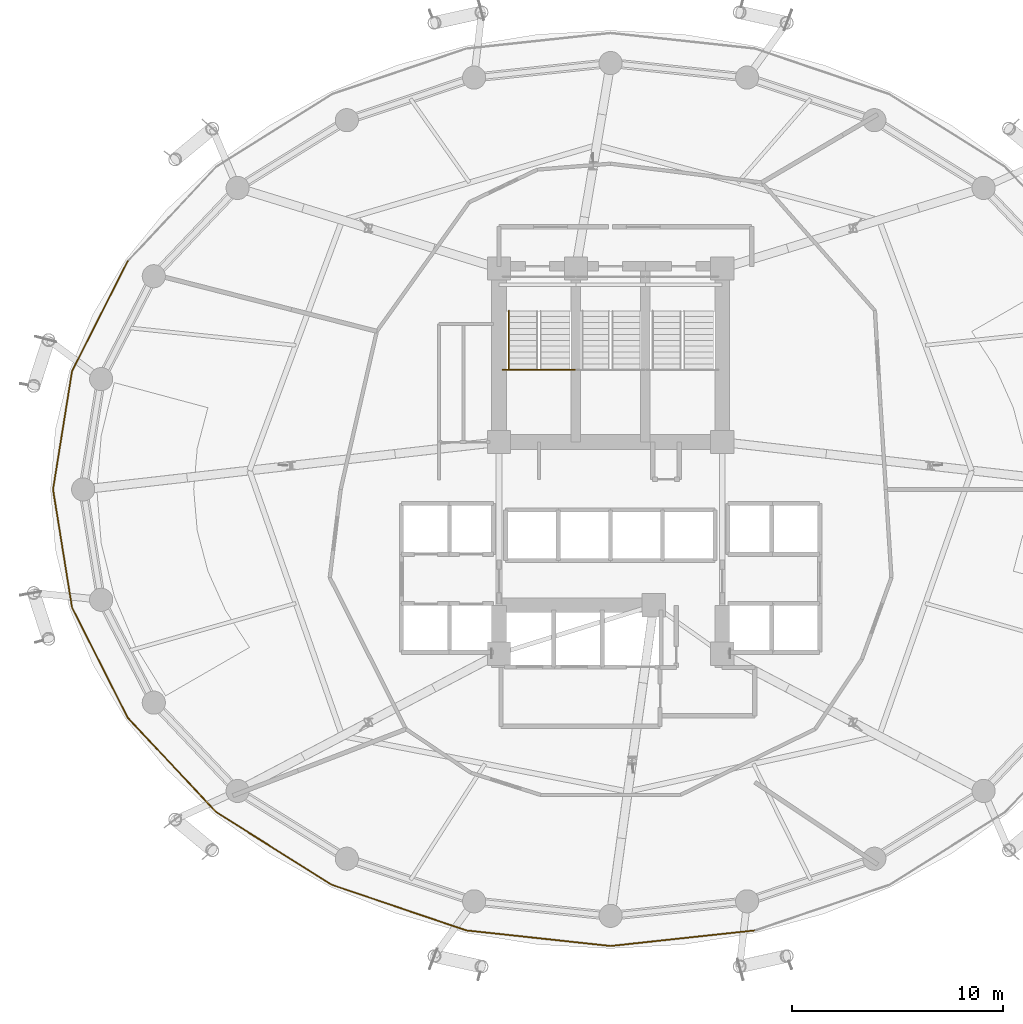
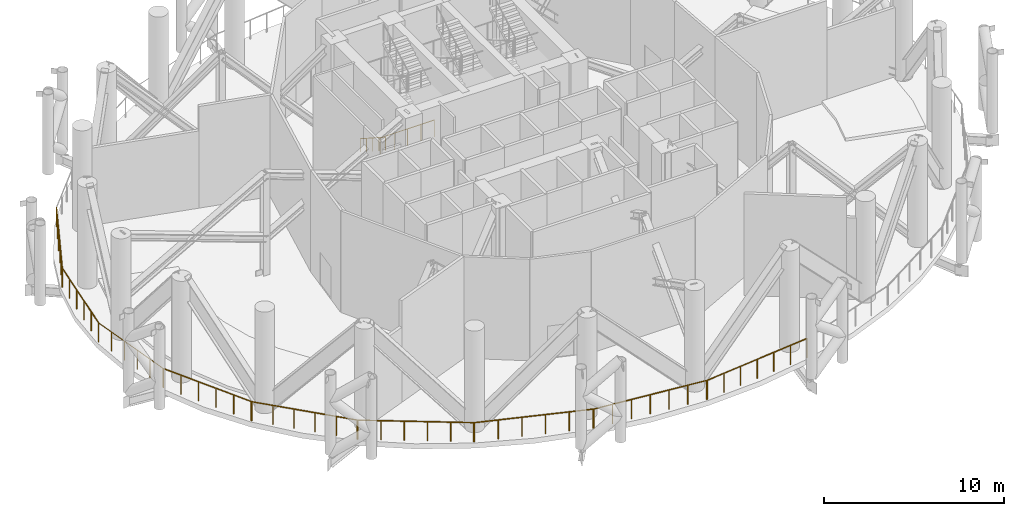
# One storey, part 15 of 19: 11 railings.
"""IFC4 building model written with IfcOpenShell, lengths in metres."""

from ifc_helpers import new_model, si_unit, direction, frame, origin, place, context, subcontext, project, spatial, polyline, outline, extrude, material, type_object, element, save


model = new_model("IFC4")

# Units and contexts
model_context = context("Model", 3, precision=1e-05, world=origin(), true_north=direction((0.0, 1.0)))
body_context = subcontext(model_context, "Body", "Model", "MODEL_VIEW")
ifc_project = project(units=[si_unit("LENGTHUNIT", "METRE"), si_unit("AREAUNIT", "SQUARE_METRE"), si_unit("VOLUMEUNIT", "CUBIC_METRE"), si_unit("PLANEANGLEUNIT", "RADIAN"), si_unit("MASSUNIT", "GRAM", prefix="KILO")], contexts=[model_context])

# Site, building, storey
site_placement = place(None, origin())
site = spatial("IfcSite", under=ifc_project, at=site_placement, CompositionType="ELEMENT")
building_placement = place(site_placement, origin())
building = spatial("IfcBuilding", under=site, at=building_placement, Name="Nuhasar Tower", CompositionType="ELEMENT")
storey_placement = place(building_placement, frame((0.0, 0.0, 106.050048828125)))
storey = spatial("IfcBuildingStorey", under=building, at=storey_placement, Name="L25", CompositionType="ELEMENT", Elevation=106.050048828125)

# Railings
ifc_material_1 = material(Name="Steel S355", Category="steel")
railing_type_1 = type_object("IfcRailingType", Name="RLG-STAIR-GUARD-1150", PredefinedType="GUARDRAIL", material=ifc_material_1)
railing_1_placement = place(storey_placement, frame((33.8798828125, 32.485107421875, 1.800048828125)))
element("IfcRailing", 1, at=railing_1_placement, inside=storey, type_object=railing_type_1, Name="L25 Stair ST-01 Guardrail LNDS1", PredefinedType="GUARDRAIL", context=body_context, shape_type="SweptSolid", body=[
    extrude(outline(polyline([(0.024169921875, 0.0), (0.01708984375, 0.01708984375), (0.0, 0.024169921875), (-0.01708984375, 0.01708984375), (-0.024169921875, 0.0), (-0.01708984375, -0.01708984375), (0.0, -0.024169921875), (0.01708984375, -0.01708984375), (0.024169921875, 0.0)])), frame((0.0, 0.0, 1.1259765625), z_axis=(1.0, 0.0, 0.0), x_axis=(0.0, 1.0, 0.0)), (0.0, 0.0, 1.0), 3.420166015625),
    extrude(outline(polyline([(0.02099609375, 0.0), (0.014892578125, 0.014892578125), (0.0, 0.02099609375), (-0.014892578125, 0.014892578125), (-0.02099609375, 0.0), (-0.014892578125, -0.014892578125), (0.0, -0.02099609375), (0.014892578125, -0.014892578125), (0.02099609375, 0.0)])), origin(), (0.0, 0.0, 1.0), 1.101806640625),
    extrude(outline(polyline([(0.02099609375, 0.0), (0.014892578125, 0.014892578125), (0.0, 0.02099609375), (-0.014892578125, 0.014892578125), (-0.02099609375, 0.0), (-0.014892578125, -0.014892578125), (0.0, -0.02099609375), (0.014892578125, -0.014892578125), (0.02099609375, 0.0)])), frame((0.85498046875, 0.0, 0.0)), (0.0, 0.0, 1.0), 1.101806640625),
    extrude(outline(polyline([(0.02099609375, 0.0), (0.014892578125, 0.014892578125), (0.0, 0.02099609375), (-0.014892578125, 0.014892578125), (-0.02099609375, 0.0), (-0.014892578125, -0.014892578125), (0.0, -0.02099609375), (0.014892578125, -0.014892578125), (0.02099609375, 0.0)])), frame((1.7099609375, 0.0, 0.0)), (0.0, 0.0, 1.0), 1.101806640625),
    extrude(outline(polyline([(0.02099609375, 0.0), (0.014892578125, 0.014892578125), (0.0, 0.02099609375), (-0.014892578125, 0.014892578125), (-0.02099609375, 0.0), (-0.014892578125, -0.014892578125), (0.0, -0.02099609375), (0.014892578125, -0.014892578125), (0.02099609375, 0.0)])), frame((2.565185546875, 0.0, 0.0)), (0.0, 0.0, 1.0), 1.101806640625),
    extrude(outline(polyline([(0.02099609375, 0.0), (0.014892578125, 0.014892578125), (0.0, 0.02099609375), (-0.014892578125, 0.014892578125), (-0.02099609375, 0.0), (-0.014892578125, -0.014892578125), (0.0, -0.02099609375), (0.014892578125, -0.014892578125), (0.02099609375, 0.0)])), frame((3.420166015625, 0.0, 0.0)), (0.0, 0.0, 1.0), 1.101806640625),
])
ifc_material_2 = material(Name="Stainless Steel 316L", Category="steel")
railing_type_2 = type_object("IfcRailingType", Name="RLG-STAIR-HAND-920", PredefinedType="HANDRAIL", material=ifc_material_2)
railing_2_placement = place(storey_placement, frame((34.169921875, 35.284912109375, 0.1640625)))
element("IfcRailing", 2, at=railing_2_placement, inside=storey, type_object=railing_type_2, Name="L25 Stair ST-01 Handrail HNDA1", PredefinedType="HANDRAIL", context=body_context, shape_type="SweptSolid", body=[
    extrude(outline(polyline([(0.024169921875, 0.0), (0.01708984375, 0.01708984375), (0.0, 0.024169921875), (-0.01708984375, 0.01708984375), (-0.024169921875, 0.0), (-0.01708984375, -0.01708984375), (0.0, -0.024169921875), (0.01708984375, -0.01708984375), (0.024169921875, 0.0)])), frame((0.0, 0.0, 0.89599609375), z_axis=(0.0, -0.841188008214, 0.540742762169), x_axis=(1.0, 0.0, 0.0)), (0.0, 0.0, 1.0), 3.328369140625),
    extrude(outline(polyline([(0.02099609375, 0.0), (0.014892578125, 0.014892578125), (0.0, 0.02099609375), (-0.014892578125, 0.014892578125), (-0.02099609375, 0.0), (-0.014892578125, -0.014892578125), (0.0, -0.02099609375), (0.014892578125, -0.014892578125), (0.02099609375, 0.0)])), origin(), (0.0, 0.0, 1.0), 0.871826171875),
    extrude(outline(polyline([(0.02099609375, 0.0), (0.014892578125, 0.014892578125), (0.0, 0.02099609375), (-0.014892578125, 0.014892578125), (-0.02099609375, 0.0), (-0.014892578125, -0.014892578125), (0.0, -0.02099609375), (0.014892578125, -0.014892578125), (0.02099609375, 0.0)])), frame((0.0, -0.699951171875, 0.449951171875)), (0.0, 0.0, 1.0), 0.871826171875),
    extrude(outline(polyline([(0.02099609375, 0.0), (0.014892578125, 0.014892578125), (0.0, 0.02099609375), (-0.014892578125, 0.014892578125), (-0.02099609375, 0.0), (-0.014892578125, -0.014892578125), (0.0, -0.02099609375), (0.014892578125, -0.014892578125), (0.02099609375, 0.0)])), frame((0.0, -1.39990234375, 0.89990234375)), (0.0, 0.0, 1.0), 0.871826171875),
    extrude(outline(polyline([(0.02099609375, 0.0), (0.014892578125, 0.014892578125), (0.0, 0.02099609375), (-0.014892578125, 0.014892578125), (-0.02099609375, 0.0), (-0.014892578125, -0.014892578125), (0.0, -0.02099609375), (0.014892578125, -0.014892578125), (0.02099609375, 0.0)])), frame((0.0, -2.099853515625, 1.349853515625)), (0.0, 0.0, 1.0), 0.871826171875),
    extrude(outline(polyline([(0.02099609375, 0.0), (0.014892578125, 0.014892578125), (0.0, 0.02099609375), (-0.014892578125, 0.014892578125), (-0.02099609375, 0.0), (-0.014892578125, -0.014892578125), (0.0, -0.02099609375), (0.014892578125, -0.014892578125), (0.02099609375, 0.0)])), frame((0.0, -2.7998046875, 1.7998046875)), (0.0, 0.0, 1.0), 0.871826171875),
])
railing_type_3 = type_object("IfcRailingType", Name="RLG-WIND-1320", PredefinedType="GUARDRAIL", material=ifc_material_2)
railing_3_placement = place(storey_placement, frame((16.068115234375, 37.639892578125, 0.0)))
element("IfcRailing", 3, at=railing_3_placement, inside=storey, type_object=railing_type_3, Name="L25 Open Wind Floor Perimeter Guardrail 11", PredefinedType="GUARDRAIL", context=body_context, shape_type="SweptSolid", body=[
    extrude(outline(polyline([(0.024169921875, 0.0), (0.01708984375, 0.01708984375), (0.0, 0.024169921875), (-0.01708984375, 0.01708984375), (-0.024169921875, 0.0), (-0.01708984375, -0.01708984375), (0.0, -0.024169921875), (0.01708984375, -0.01708984375), (0.024169921875, 0.0)])), frame((0.0, 0.0, 1.2958984375), z_axis=(-0.451570874108, -0.892235252418, 0.0), x_axis=(0.892235252418, -0.451570874108, 0.0)), (0.0, 0.0, 1.0), 5.820068359375),
    extrude(outline(polyline([(0.02099609375, 0.0), (0.014892578125, 0.014892578125), (0.0, 0.02099609375), (-0.014892578125, 0.014892578125), (-0.02099609375, 0.0), (-0.014892578125, -0.014892578125), (0.0, -0.02099609375), (0.014892578125, -0.014892578125), (0.02099609375, 0.0)])), origin(), (0.0, 0.0, 1.0), 1.27197265625),
    extrude(outline(polyline([(0.02099609375, 0.0), (0.014892578125, 0.014892578125), (0.0, 0.02099609375), (-0.014892578125, 0.014892578125), (-0.02099609375, 0.0), (-0.014892578125, -0.014892578125), (0.0, -0.02099609375), (0.014892578125, -0.014892578125), (0.02099609375, 0.0)])), frame((-0.525634765625, -1.03857421875, 0.0)), (0.0, 0.0, 1.0), 1.27197265625),
    extrude(outline(polyline([(0.02099609375, 0.0), (0.014892578125, 0.014892578125), (0.0, 0.02099609375), (-0.014892578125, 0.014892578125), (-0.02099609375, 0.0), (-0.014892578125, -0.014892578125), (0.0, -0.02099609375), (0.014892578125, -0.014892578125), (0.02099609375, 0.0)])), frame((-1.05126953125, -2.0771484375, 0.0)), (0.0, 0.0, 1.0), 1.27197265625),
    extrude(outline(polyline([(0.02099609375, 0.0), (0.014892578125, 0.014892578125), (0.0, 0.02099609375), (-0.014892578125, 0.014892578125), (-0.02099609375, 0.0), (-0.014892578125, -0.014892578125), (0.0, -0.02099609375), (0.014892578125, -0.014892578125), (0.02099609375, 0.0)])), frame((-1.576904296875, -3.11572265625, 0.0)), (0.0, 0.0, 1.0), 1.27197265625),
    extrude(outline(polyline([(0.02099609375, 0.0), (0.014892578125, 0.014892578125), (0.0, 0.02099609375), (-0.014892578125, 0.014892578125), (-0.02099609375, 0.0), (-0.014892578125, -0.014892578125), (0.0, -0.02099609375), (0.014892578125, -0.014892578125), (0.02099609375, 0.0)])), frame((-2.1025390625, -4.154296875, 0.0)), (0.0, 0.0, 1.0), 1.27197265625),
    extrude(outline(polyline([(0.02099609375, 0.0), (0.014892578125, 0.014892578125), (0.0, 0.02099609375), (-0.014892578125, 0.014892578125), (-0.02099609375, 0.0), (-0.014892578125, -0.014892578125), (0.0, -0.02099609375), (0.014892578125, -0.014892578125), (0.02099609375, 0.0)])), frame((-2.628173828125, -5.19287109375, 0.0)), (0.0, 0.0, 1.0), 1.27197265625),
])
railing_4_placement = place(storey_placement, frame((13.422119140625, 32.410888671875, 0.0)))
element("IfcRailing", 4, at=railing_4_placement, inside=storey, type_object=railing_type_3, Name="L25 Open Wind Floor Perimeter Guardrail 12", PredefinedType="GUARDRAIL", context=body_context, shape_type="SweptSolid", body=[
    extrude(outline(polyline([(0.024169921875, 0.0), (0.01708984375, 0.01708984375), (0.0, 0.024169921875), (-0.01708984375, 0.01708984375), (-0.024169921875, 0.0), (-0.01708984375, -0.01708984375), (0.0, -0.024169921875), (0.01708984375, -0.01708984375), (0.024169921875, 0.0)])), frame((0.0, 0.0, 1.2958984375), z_axis=(-0.15881214067, -0.98730881895, 0.0), x_axis=(0.98730881895, -0.15881214067, 0.0)), (0.0, 0.0, 1.0), 5.643310546875),
    extrude(outline(polyline([(0.02099609375, 0.0), (0.014892578125, 0.014892578125), (0.0, 0.02099609375), (-0.014892578125, 0.014892578125), (-0.02099609375, 0.0), (-0.014892578125, -0.014892578125), (0.0, -0.02099609375), (0.014892578125, -0.014892578125), (0.02099609375, 0.0)])), origin(), (0.0, 0.0, 1.0), 1.27197265625),
    extrude(outline(polyline([(0.02099609375, 0.0), (0.014892578125, 0.014892578125), (0.0, 0.02099609375), (-0.014892578125, 0.014892578125), (-0.02099609375, 0.0), (-0.014892578125, -0.014892578125), (0.0, -0.02099609375), (0.014892578125, -0.014892578125), (0.02099609375, 0.0)])), frame((-0.17919921875, -1.1142578125, 0.0)), (0.0, 0.0, 1.0), 1.27197265625),
    extrude(outline(polyline([(0.02099609375, 0.0), (0.014892578125, 0.014892578125), (0.0, 0.02099609375), (-0.014892578125, 0.014892578125), (-0.02099609375, 0.0), (-0.014892578125, -0.014892578125), (0.0, -0.02099609375), (0.014892578125, -0.014892578125), (0.02099609375, 0.0)])), frame((-0.3583984375, -2.228759765625, 0.0)), (0.0, 0.0, 1.0), 1.27197265625),
    extrude(outline(polyline([(0.02099609375, 0.0), (0.014892578125, 0.014892578125), (0.0, 0.02099609375), (-0.014892578125, 0.014892578125), (-0.02099609375, 0.0), (-0.014892578125, -0.014892578125), (0.0, -0.02099609375), (0.014892578125, -0.014892578125), (0.02099609375, 0.0)])), frame((-0.537841796875, -3.343017578125, 0.0)), (0.0, 0.0, 1.0), 1.27197265625),
    extrude(outline(polyline([(0.02099609375, 0.0), (0.014892578125, 0.014892578125), (0.0, 0.02099609375), (-0.014892578125, 0.014892578125), (-0.02099609375, 0.0), (-0.014892578125, -0.014892578125), (0.0, -0.02099609375), (0.014892578125, -0.014892578125), (0.02099609375, 0.0)])), frame((-0.717041015625, -4.45751953125, 0.0)), (0.0, 0.0, 1.0), 1.27197265625),
    extrude(outline(polyline([(0.02099609375, 0.0), (0.014892578125, 0.014892578125), (0.0, 0.02099609375), (-0.014892578125, 0.014892578125), (-0.02099609375, 0.0), (-0.014892578125, -0.014892578125), (0.0, -0.02099609375), (0.014892578125, -0.014892578125), (0.02099609375, 0.0)])), frame((-0.896240234375, -5.57177734375, 0.0)), (0.0, 0.0, 1.0), 1.27197265625),
])
railing_5_placement = place(storey_placement, frame((12.52001953125, 26.800048828125, 0.0)))
element("IfcRailing", 5, at=railing_5_placement, inside=storey, type_object=railing_type_3, Name="L25 Open Wind Floor Perimeter Guardrail 13", PredefinedType="GUARDRAIL", context=body_context, shape_type="SweptSolid", body=[
    extrude(outline(polyline([(0.024169921875, 0.0), (0.01708984375, 0.01708984375), (0.0, 0.024169921875), (-0.01708984375, 0.01708984375), (-0.024169921875, 0.0), (-0.01708984375, -0.01708984375), (0.0, -0.024169921875), (0.01708984375, -0.01708984375), (0.024169921875, 0.0)])), frame((0.0, 0.0, 1.2958984375), z_axis=(0.158763188837, -0.987316691781, 0.0), x_axis=(0.987316691781, 0.158763188837, 0.0)), (0.0, 0.0, 1.0), 5.6435546875),
    extrude(outline(polyline([(0.02099609375, 0.0), (0.014892578125, 0.014892578125), (0.0, 0.02099609375), (-0.014892578125, 0.014892578125), (-0.02099609375, 0.0), (-0.014892578125, -0.014892578125), (0.0, -0.02099609375), (0.014892578125, -0.014892578125), (0.02099609375, 0.0)])), origin(), (0.0, 0.0, 1.0), 1.27197265625),
    extrude(outline(polyline([(0.02099609375, 0.0), (0.014892578125, 0.014892578125), (0.0, 0.02099609375), (-0.014892578125, 0.014892578125), (-0.02099609375, 0.0), (-0.014892578125, -0.014892578125), (0.0, -0.02099609375), (0.014892578125, -0.014892578125), (0.02099609375, 0.0)])), frame((0.17919921875, -1.114501953125, 0.0)), (0.0, 0.0, 1.0), 1.27197265625),
    extrude(outline(polyline([(0.02099609375, 0.0), (0.014892578125, 0.014892578125), (0.0, 0.02099609375), (-0.014892578125, 0.014892578125), (-0.02099609375, 0.0), (-0.014892578125, -0.014892578125), (0.0, -0.02099609375), (0.014892578125, -0.014892578125), (0.02099609375, 0.0)])), frame((0.3583984375, -2.228759765625, 0.0)), (0.0, 0.0, 1.0), 1.27197265625),
    extrude(outline(polyline([(0.02099609375, 0.0), (0.014892578125, 0.014892578125), (0.0, 0.02099609375), (-0.014892578125, 0.014892578125), (-0.02099609375, 0.0), (-0.014892578125, -0.014892578125), (0.0, -0.02099609375), (0.014892578125, -0.014892578125), (0.02099609375, 0.0)])), frame((0.53759765625, -3.34326171875, 0.0)), (0.0, 0.0, 1.0), 1.27197265625),
    extrude(outline(polyline([(0.02099609375, 0.0), (0.014892578125, 0.014892578125), (0.0, 0.02099609375), (-0.014892578125, 0.014892578125), (-0.02099609375, 0.0), (-0.014892578125, -0.014892578125), (0.0, -0.02099609375), (0.014892578125, -0.014892578125), (0.02099609375, 0.0)])), frame((0.716796875, -4.45751953125, 0.0)), (0.0, 0.0, 1.0), 1.27197265625),
    extrude(outline(polyline([(0.02099609375, 0.0), (0.014892578125, 0.014892578125), (0.0, 0.02099609375), (-0.014892578125, 0.014892578125), (-0.02099609375, 0.0), (-0.014892578125, -0.014892578125), (0.0, -0.02099609375), (0.014892578125, -0.014892578125), (0.02099609375, 0.0)])), frame((0.89599609375, -5.572021484375, 0.0)), (0.0, 0.0, 1.0), 1.27197265625),
])
railing_6_placement = place(storey_placement, frame((13.422119140625, 21.18896484375, 0.0)))
element("IfcRailing", 6, at=railing_6_placement, inside=storey, type_object=railing_type_3, Name="L25 Open Wind Floor Perimeter Guardrail 14", PredefinedType="GUARDRAIL", context=body_context, shape_type="SweptSolid", body=[
    extrude(outline(polyline([(0.024169921875, 0.0), (0.01708984375, 0.01708984375), (0.0, 0.024169921875), (-0.01708984375, 0.01708984375), (-0.024169921875, 0.0), (-0.01708984375, -0.01708984375), (0.0, -0.024169921875), (0.01708984375, -0.01708984375), (0.024169921875, 0.0)])), frame((0.0, 0.0, 1.2958984375), z_axis=(0.45153747899, -0.892252153299, 0.0), x_axis=(0.892252153299, 0.45153747899, 0.0)), (0.0, 0.0, 1.0), 5.820068359375),
    extrude(outline(polyline([(0.02099609375, 0.0), (0.014892578125, 0.014892578125), (0.0, 0.02099609375), (-0.014892578125, 0.014892578125), (-0.02099609375, 0.0), (-0.014892578125, -0.014892578125), (0.0, -0.02099609375), (0.014892578125, -0.014892578125), (0.02099609375, 0.0)])), origin(), (0.0, 0.0, 1.0), 1.27197265625),
    extrude(outline(polyline([(0.02099609375, 0.0), (0.014892578125, 0.014892578125), (0.0, 0.02099609375), (-0.014892578125, 0.014892578125), (-0.02099609375, 0.0), (-0.014892578125, -0.014892578125), (0.0, -0.02099609375), (0.014892578125, -0.014892578125), (0.02099609375, 0.0)])), frame((0.525634765625, -1.03857421875, 0.0)), (0.0, 0.0, 1.0), 1.27197265625),
    extrude(outline(polyline([(0.02099609375, 0.0), (0.014892578125, 0.014892578125), (0.0, 0.02099609375), (-0.014892578125, 0.014892578125), (-0.02099609375, 0.0), (-0.014892578125, -0.014892578125), (0.0, -0.02099609375), (0.014892578125, -0.014892578125), (0.02099609375, 0.0)])), frame((1.05126953125, -2.0771484375, 0.0)), (0.0, 0.0, 1.0), 1.27197265625),
    extrude(outline(polyline([(0.02099609375, 0.0), (0.014892578125, 0.014892578125), (0.0, 0.02099609375), (-0.014892578125, 0.014892578125), (-0.02099609375, 0.0), (-0.014892578125, -0.014892578125), (0.0, -0.02099609375), (0.014892578125, -0.014892578125), (0.02099609375, 0.0)])), frame((1.57666015625, -3.11572265625, 0.0)), (0.0, 0.0, 1.0), 1.27197265625),
    extrude(outline(polyline([(0.02099609375, 0.0), (0.014892578125, 0.014892578125), (0.0, 0.02099609375), (-0.014892578125, 0.014892578125), (-0.02099609375, 0.0), (-0.014892578125, -0.014892578125), (0.0, -0.02099609375), (0.014892578125, -0.014892578125), (0.02099609375, 0.0)])), frame((2.102294921875, -4.154296875, 0.0)), (0.0, 0.0, 1.0), 1.27197265625),
    extrude(outline(polyline([(0.02099609375, 0.0), (0.014892578125, 0.014892578125), (0.0, 0.02099609375), (-0.014892578125, 0.014892578125), (-0.02099609375, 0.0), (-0.014892578125, -0.014892578125), (0.0, -0.02099609375), (0.014892578125, -0.014892578125), (0.02099609375, 0.0)])), frame((2.6279296875, -5.19287109375, 0.0)), (0.0, 0.0, 1.0), 1.27197265625),
])
railing_7_placement = place(storey_placement, frame((16.068115234375, 15.9599609375, 0.0)))
element("IfcRailing", 7, at=railing_7_placement, inside=storey, type_object=railing_type_3, Name="L25 Open Wind Floor Perimeter Guardrail 15", PredefinedType="GUARDRAIL", context=body_context, shape_type="SweptSolid", body=[
    extrude(outline(polyline([(0.024169921875, 0.0), (0.01708984375, 0.01708984375), (0.0, 0.024169921875), (-0.01708984375, 0.01708984375), (-0.024169921875, 0.0), (-0.01708984375, -0.01708984375), (0.0, -0.024169921875), (0.01708984375, -0.01708984375), (0.024169921875, 0.0)])), frame((0.0, 0.0, 1.2958984375), z_axis=(0.683834857776, -0.729636818761, 0.0), x_axis=(0.729636818761, 0.683834857776, 0.0)), (0.0, 0.0, 1.0), 6.114013671875),
    extrude(outline(polyline([(0.02099609375, 0.0), (0.014892578125, 0.014892578125), (0.0, 0.02099609375), (-0.014892578125, 0.014892578125), (-0.02099609375, 0.0), (-0.014892578125, -0.014892578125), (0.0, -0.02099609375), (0.014892578125, -0.014892578125), (0.02099609375, 0.0)])), origin(), (0.0, 0.0, 1.0), 1.27197265625),
    extrude(outline(polyline([(0.02099609375, 0.0), (0.014892578125, 0.014892578125), (0.0, 0.02099609375), (-0.014892578125, 0.014892578125), (-0.02099609375, 0.0), (-0.014892578125, -0.014892578125), (0.0, -0.02099609375), (0.014892578125, -0.014892578125), (0.02099609375, 0.0)])), frame((0.836181640625, -0.89208984375, 0.0)), (0.0, 0.0, 1.0), 1.27197265625),
    extrude(outline(polyline([(0.02099609375, 0.0), (0.014892578125, 0.014892578125), (0.0, 0.02099609375), (-0.014892578125, 0.014892578125), (-0.02099609375, 0.0), (-0.014892578125, -0.014892578125), (0.0, -0.02099609375), (0.014892578125, -0.014892578125), (0.02099609375, 0.0)])), frame((1.67236328125, -1.784423828125, 0.0)), (0.0, 0.0, 1.0), 1.27197265625),
    extrude(outline(polyline([(0.02099609375, 0.0), (0.014892578125, 0.014892578125), (0.0, 0.02099609375), (-0.014892578125, 0.014892578125), (-0.02099609375, 0.0), (-0.014892578125, -0.014892578125), (0.0, -0.02099609375), (0.014892578125, -0.014892578125), (0.02099609375, 0.0)])), frame((2.508544921875, -2.676513671875, 0.0)), (0.0, 0.0, 1.0), 1.27197265625),
    extrude(outline(polyline([(0.02099609375, 0.0), (0.014892578125, 0.014892578125), (0.0, 0.02099609375), (-0.014892578125, 0.014892578125), (-0.02099609375, 0.0), (-0.014892578125, -0.014892578125), (0.0, -0.02099609375), (0.014892578125, -0.014892578125), (0.02099609375, 0.0)])), frame((3.3447265625, -3.56884765625, 0.0)), (0.0, 0.0, 1.0), 1.27197265625),
    extrude(outline(polyline([(0.02099609375, 0.0), (0.014892578125, 0.014892578125), (0.0, 0.02099609375), (-0.014892578125, 0.014892578125), (-0.02099609375, 0.0), (-0.014892578125, -0.014892578125), (0.0, -0.02099609375), (0.014892578125, -0.014892578125), (0.02099609375, 0.0)])), frame((4.180908203125, -4.4609375, 0.0)), (0.0, 0.0, 1.0), 1.27197265625),
])
railing_8_placement = place(storey_placement, frame((20.27587890625, 11.469970703125, 0.0)))
element("IfcRailing", 8, at=railing_8_placement, inside=storey, type_object=railing_type_3, Name="L25 Open Wind Floor Perimeter Guardrail 16", PredefinedType="GUARDRAIL", context=body_context, shape_type="SweptSolid", body=[
    extrude(outline(polyline([(0.024169921875, 0.0), (0.01708984375, 0.01708984375), (0.0, 0.024169921875), (-0.01708984375, 0.01708984375), (-0.024169921875, 0.0), (-0.01708984375, -0.01708984375), (0.0, -0.024169921875), (0.01708984375, -0.01708984375), (0.024169921875, 0.0)])), frame((0.0, 0.0, 1.2958984375), z_axis=(0.84676006125, -0.531974998165, 0.0), x_axis=(0.531974998165, 0.84676006125, 0.0)), (0.0, 0.0, 1.0), 6.4365234375),
    extrude(outline(polyline([(0.02099609375, 0.0), (0.014892578125, 0.014892578125), (0.0, 0.02099609375), (-0.014892578125, 0.014892578125), (-0.02099609375, 0.0), (-0.014892578125, -0.014892578125), (0.0, -0.02099609375), (0.014892578125, -0.014892578125), (0.02099609375, 0.0)])), origin(), (0.0, 0.0, 1.0), 1.27197265625),
    extrude(outline(polyline([(0.02099609375, 0.0), (0.014892578125, 0.014892578125), (0.0, 0.02099609375), (-0.014892578125, 0.014892578125), (-0.02099609375, 0.0), (-0.014892578125, -0.014892578125), (0.0, -0.02099609375), (0.014892578125, -0.014892578125), (0.02099609375, 0.0)])), frame((1.090087890625, -0.684814453125, 0.0)), (0.0, 0.0, 1.0), 1.27197265625),
    extrude(outline(polyline([(0.02099609375, 0.0), (0.014892578125, 0.014892578125), (0.0, 0.02099609375), (-0.014892578125, 0.014892578125), (-0.02099609375, 0.0), (-0.014892578125, -0.014892578125), (0.0, -0.02099609375), (0.014892578125, -0.014892578125), (0.02099609375, 0.0)])), frame((2.18017578125, -1.36962890625, 0.0)), (0.0, 0.0, 1.0), 1.27197265625),
    extrude(outline(polyline([(0.02099609375, 0.0), (0.014892578125, 0.014892578125), (0.0, 0.02099609375), (-0.014892578125, 0.014892578125), (-0.02099609375, 0.0), (-0.014892578125, -0.014892578125), (0.0, -0.02099609375), (0.014892578125, -0.014892578125), (0.02099609375, 0.0)])), frame((3.27001953125, -2.054443359375, 0.0)), (0.0, 0.0, 1.0), 1.27197265625),
    extrude(outline(polyline([(0.02099609375, 0.0), (0.014892578125, 0.014892578125), (0.0, 0.02099609375), (-0.014892578125, 0.014892578125), (-0.02099609375, 0.0), (-0.014892578125, -0.014892578125), (0.0, -0.02099609375), (0.014892578125, -0.014892578125), (0.02099609375, 0.0)])), frame((4.360107421875, -2.7392578125, 0.0)), (0.0, 0.0, 1.0), 1.27197265625),
    extrude(outline(polyline([(0.02099609375, 0.0), (0.014892578125, 0.014892578125), (0.0, 0.02099609375), (-0.014892578125, 0.014892578125), (-0.02099609375, 0.0), (-0.014892578125, -0.014892578125), (0.0, -0.02099609375), (0.014892578125, -0.014892578125), (0.02099609375, 0.0)])), frame((5.4501953125, -3.424072265625, 0.0)), (0.0, 0.0, 1.0), 1.27197265625),
])
railing_9_placement = place(storey_placement, frame((25.760009765625, 8.02490234375, 0.0)))
element("IfcRailing", 9, at=railing_9_placement, inside=storey, type_object=railing_type_3, Name="L25 Open Wind Floor Perimeter Guardrail 17", PredefinedType="GUARDRAIL", context=body_context, shape_type="SweptSolid", body=[
    extrude(outline(polyline([(0.024169921875, 0.0), (0.01708984375, 0.01708984375), (0.0, 0.024169921875), (-0.01708984375, 0.01708984375), (-0.024169921875, 0.0), (-0.01708984375, -0.01708984375), (0.0, -0.024169921875), (0.01708984375, -0.01708984375), (0.024169921875, 0.0)])), frame((0.0, 0.0, 1.2958984375), z_axis=(0.947020447438, -0.321173274317, 0.0), x_axis=(0.321173274317, 0.947020447438, 0.0)), (0.0, 0.0, 1.0), 6.703125),
    extrude(outline(polyline([(0.02099609375, 0.0), (0.014892578125, 0.014892578125), (0.0, 0.02099609375), (-0.014892578125, 0.014892578125), (-0.02099609375, 0.0), (-0.014892578125, -0.014892578125), (0.0, -0.02099609375), (0.014892578125, -0.014892578125), (0.02099609375, 0.0)])), origin(), (0.0, 0.0, 1.0), 1.27197265625),
    extrude(outline(polyline([(0.02099609375, 0.0), (0.014892578125, 0.014892578125), (0.0, 0.02099609375), (-0.014892578125, 0.014892578125), (-0.02099609375, 0.0), (-0.014892578125, -0.014892578125), (0.0, -0.02099609375), (0.014892578125, -0.014892578125), (0.02099609375, 0.0)])), frame((1.26953125, -0.4306640625, 0.0)), (0.0, 0.0, 1.0), 1.27197265625),
    extrude(outline(polyline([(0.02099609375, 0.0), (0.014892578125, 0.014892578125), (0.0, 0.02099609375), (-0.014892578125, 0.014892578125), (-0.02099609375, 0.0), (-0.014892578125, -0.014892578125), (0.0, -0.02099609375), (0.014892578125, -0.014892578125), (0.02099609375, 0.0)])), frame((2.5390625, -0.861083984375, 0.0)), (0.0, 0.0, 1.0), 1.27197265625),
    extrude(outline(polyline([(0.02099609375, 0.0), (0.014892578125, 0.014892578125), (0.0, 0.02099609375), (-0.014892578125, 0.014892578125), (-0.02099609375, 0.0), (-0.014892578125, -0.014892578125), (0.0, -0.02099609375), (0.014892578125, -0.014892578125), (0.02099609375, 0.0)])), frame((3.808837890625, -1.291748046875, 0.0)), (0.0, 0.0, 1.0), 1.27197265625),
    extrude(outline(polyline([(0.02099609375, 0.0), (0.014892578125, 0.014892578125), (0.0, 0.02099609375), (-0.014892578125, 0.014892578125), (-0.02099609375, 0.0), (-0.014892578125, -0.014892578125), (0.0, -0.02099609375), (0.014892578125, -0.014892578125), (0.02099609375, 0.0)])), frame((5.078369140625, -1.72216796875, 0.0)), (0.0, 0.0, 1.0), 1.27197265625),
    extrude(outline(polyline([(0.02099609375, 0.0), (0.014892578125, 0.014892578125), (0.0, 0.02099609375), (-0.014892578125, 0.014892578125), (-0.02099609375, 0.0), (-0.014892578125, -0.014892578125), (0.0, -0.02099609375), (0.014892578125, -0.014892578125), (0.02099609375, 0.0)])), frame((6.347900390625, -2.15283203125, 0.0)), (0.0, 0.0, 1.0), 1.27197265625),
])
railing_10_placement = place(storey_placement, frame((32.14599609375, 5.85888671875, 0.0)))
element("IfcRailing", 10, at=railing_10_placement, inside=storey, type_object=railing_type_3, Name="L25 Open Wind Floor Perimeter Guardrail 18", PredefinedType="GUARDRAIL", context=body_context, shape_type="SweptSolid", body=[
    extrude(outline(polyline([(0.024169921875, 0.0), (0.01708984375, 0.01708984375), (0.0, 0.024169921875), (-0.01708984375, 0.01708984375), (-0.024169921875, 0.0), (-0.01708984375, -0.01708984375), (0.0, -0.024169921875), (0.01708984375, -0.01708984375), (0.024169921875, 0.0)])), frame((0.0, 0.0, 1.2958984375), z_axis=(0.994234792499, -0.107224891631, 0.0), x_axis=(0.107224891631, 0.994234792499, 0.0)), (0.0, 0.0, 1.0), 6.853515625),
    extrude(outline(polyline([(0.02099609375, 0.0), (0.014892578125, 0.014892578125), (0.0, 0.02099609375), (-0.014892578125, 0.014892578125), (-0.02099609375, 0.0), (-0.014892578125, -0.014892578125), (0.0, -0.02099609375), (0.014892578125, -0.014892578125), (0.02099609375, 0.0)])), origin(), (0.0, 0.0, 1.0), 1.27197265625),
    extrude(outline(polyline([(0.02099609375, 0.0), (0.014892578125, 0.014892578125), (0.0, 0.02099609375), (-0.014892578125, 0.014892578125), (-0.02099609375, 0.0), (-0.014892578125, -0.014892578125), (0.0, -0.02099609375), (0.014892578125, -0.014892578125), (0.02099609375, 0.0)])), frame((1.1357421875, -0.12255859375, 0.0)), (0.0, 0.0, 1.0), 1.27197265625),
    extrude(outline(polyline([(0.02099609375, 0.0), (0.014892578125, 0.014892578125), (0.0, 0.02099609375), (-0.014892578125, 0.014892578125), (-0.02099609375, 0.0), (-0.014892578125, -0.014892578125), (0.0, -0.02099609375), (0.014892578125, -0.014892578125), (0.02099609375, 0.0)])), frame((2.271240234375, -0.244873046875, 0.0)), (0.0, 0.0, 1.0), 1.27197265625),
    extrude(outline(polyline([(0.02099609375, 0.0), (0.014892578125, 0.014892578125), (0.0, 0.02099609375), (-0.014892578125, 0.014892578125), (-0.02099609375, 0.0), (-0.014892578125, -0.014892578125), (0.0, -0.02099609375), (0.014892578125, -0.014892578125), (0.02099609375, 0.0)])), frame((3.406982421875, -0.367431640625, 0.0)), (0.0, 0.0, 1.0), 1.27197265625),
    extrude(outline(polyline([(0.02099609375, 0.0), (0.014892578125, 0.014892578125), (0.0, 0.02099609375), (-0.014892578125, 0.014892578125), (-0.02099609375, 0.0), (-0.014892578125, -0.014892578125), (0.0, -0.02099609375), (0.014892578125, -0.014892578125), (0.02099609375, 0.0)])), frame((4.542724609375, -0.489990234375, 0.0)), (0.0, 0.0, 1.0), 1.27197265625),
    extrude(outline(polyline([(0.02099609375, 0.0), (0.014892578125, 0.014892578125), (0.0, 0.02099609375), (-0.014892578125, 0.014892578125), (-0.02099609375, 0.0), (-0.014892578125, -0.014892578125), (0.0, -0.02099609375), (0.014892578125, -0.014892578125), (0.02099609375, 0.0)])), frame((5.67822265625, -0.6123046875, 0.0)), (0.0, 0.0, 1.0), 1.27197265625),
    extrude(outline(polyline([(0.02099609375, 0.0), (0.014892578125, 0.014892578125), (0.0, 0.02099609375), (-0.014892578125, 0.014892578125), (-0.02099609375, 0.0), (-0.014892578125, -0.014892578125), (0.0, -0.02099609375), (0.014892578125, -0.014892578125), (0.02099609375, 0.0)])), frame((6.81396484375, -0.73486328125, 0.0)), (0.0, 0.0, 1.0), 1.27197265625),
])
railing_11_placement = place(storey_placement, frame((39.0, 5.1201171875, 0.0)))
element("IfcRailing", 11, at=railing_11_placement, inside=storey, type_object=railing_type_3, Name="L25 Open Wind Floor Perimeter Guardrail 19", PredefinedType="GUARDRAIL", context=body_context, shape_type="SweptSolid", body=[
    extrude(outline(polyline([(0.024169921875, 0.0), (0.01708984375, 0.01708984375), (0.0, 0.024169921875), (-0.01708984375, 0.01708984375), (-0.024169921875, 0.0), (-0.01708984375, -0.01708984375), (0.0, -0.024169921875), (0.01708984375, -0.01708984375), (0.024169921875, 0.0)])), frame((0.0, 0.0, 1.2958984375), z_axis=(0.994234792499, 0.107224891631, 0.0), x_axis=(-0.107224891631, 0.994234792499, 0.0)), (0.0, 0.0, 1.0), 6.853515625),
    extrude(outline(polyline([(0.02099609375, 0.0), (0.014892578125, 0.014892578125), (0.0, 0.02099609375), (-0.014892578125, 0.014892578125), (-0.02099609375, 0.0), (-0.014892578125, -0.014892578125), (0.0, -0.02099609375), (0.014892578125, -0.014892578125), (0.02099609375, 0.0)])), origin(), (0.0, 0.0, 1.0), 1.27197265625),
    extrude(outline(polyline([(0.02099609375, 0.0), (0.014892578125, 0.014892578125), (0.0, 0.02099609375), (-0.014892578125, 0.014892578125), (-0.02099609375, 0.0), (-0.014892578125, -0.014892578125), (0.0, -0.02099609375), (0.014892578125, -0.014892578125), (0.02099609375, 0.0)])), frame((1.1357421875, 0.12255859375, 0.0)), (0.0, 0.0, 1.0), 1.27197265625),
    extrude(outline(polyline([(0.02099609375, 0.0), (0.014892578125, 0.014892578125), (0.0, 0.02099609375), (-0.014892578125, 0.014892578125), (-0.02099609375, 0.0), (-0.014892578125, -0.014892578125), (0.0, -0.02099609375), (0.014892578125, -0.014892578125), (0.02099609375, 0.0)])), frame((2.271240234375, 0.244873046875, 0.0)), (0.0, 0.0, 1.0), 1.27197265625),
    extrude(outline(polyline([(0.02099609375, 0.0), (0.014892578125, 0.014892578125), (0.0, 0.02099609375), (-0.014892578125, 0.014892578125), (-0.02099609375, 0.0), (-0.014892578125, -0.014892578125), (0.0, -0.02099609375), (0.014892578125, -0.014892578125), (0.02099609375, 0.0)])), frame((3.406982421875, 0.367431640625, 0.0)), (0.0, 0.0, 1.0), 1.27197265625),
    extrude(outline(polyline([(0.02099609375, 0.0), (0.014892578125, 0.014892578125), (0.0, 0.02099609375), (-0.014892578125, 0.014892578125), (-0.02099609375, 0.0), (-0.014892578125, -0.014892578125), (0.0, -0.02099609375), (0.014892578125, -0.014892578125), (0.02099609375, 0.0)])), frame((4.542724609375, 0.489990234375, 0.0)), (0.0, 0.0, 1.0), 1.27197265625),
    extrude(outline(polyline([(0.02099609375, 0.0), (0.014892578125, 0.014892578125), (0.0, 0.02099609375), (-0.014892578125, 0.014892578125), (-0.02099609375, 0.0), (-0.014892578125, -0.014892578125), (0.0, -0.02099609375), (0.014892578125, -0.014892578125), (0.02099609375, 0.0)])), frame((5.67822265625, 0.6123046875, 0.0)), (0.0, 0.0, 1.0), 1.27197265625),
    extrude(outline(polyline([(0.02099609375, 0.0), (0.014892578125, 0.014892578125), (0.0, 0.02099609375), (-0.014892578125, 0.014892578125), (-0.02099609375, 0.0), (-0.014892578125, -0.014892578125), (0.0, -0.02099609375), (0.014892578125, -0.014892578125), (0.02099609375, 0.0)])), frame((6.81396484375, 0.73486328125, 0.0)), (0.0, 0.0, 1.0), 1.27197265625),
])

save(model, "model.ifc")
